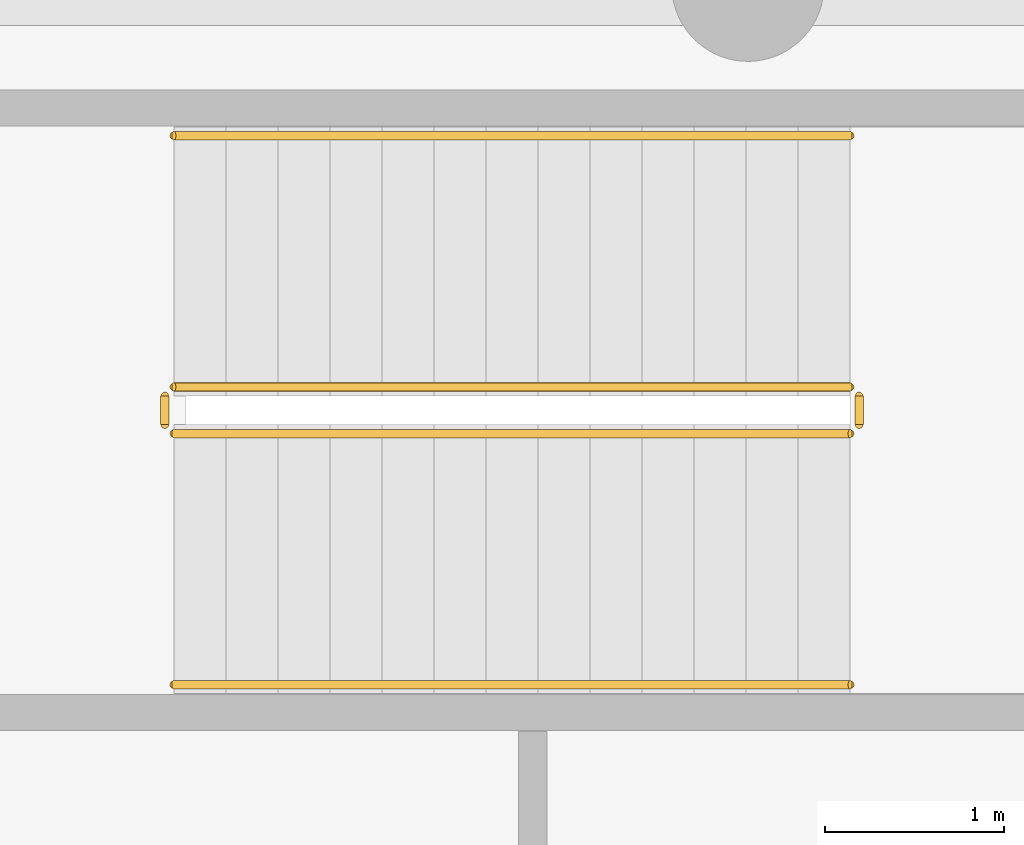
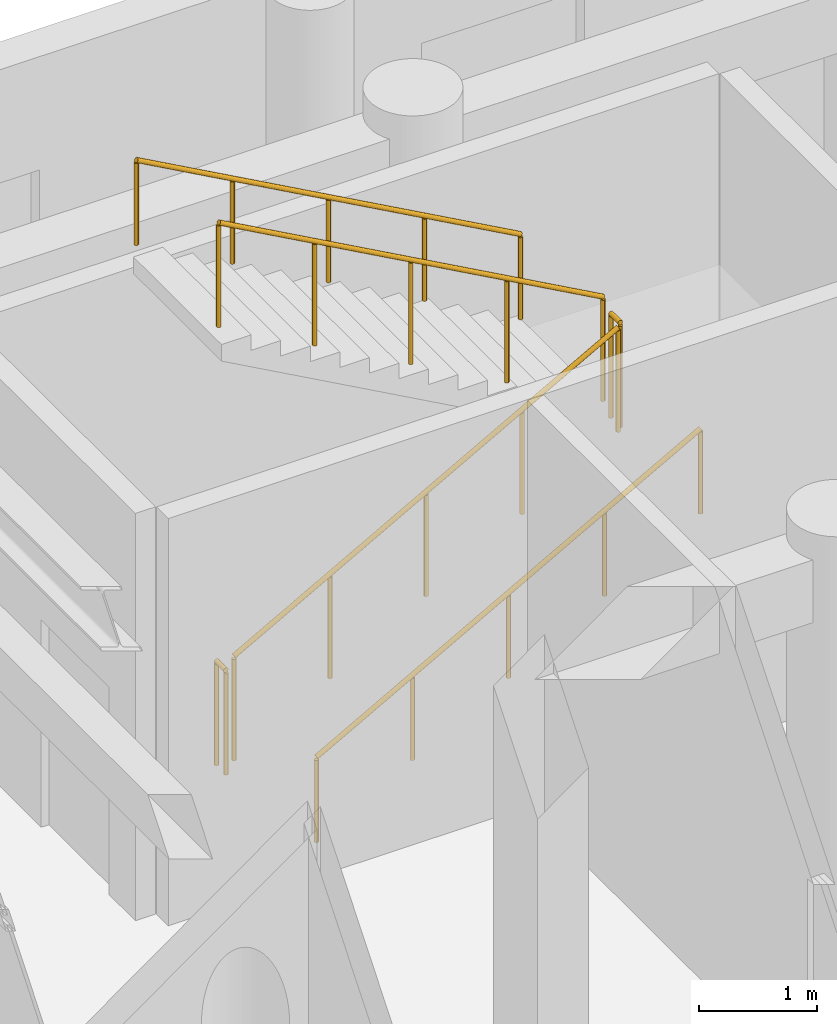
# One storey, part 24 of 24: 6 railings.
"""IFC4 building model written with IfcOpenShell, lengths in metres."""

from ifc_helpers import new_model, si_unit, direction, frame, origin, origin_2d, place, context, subcontext, project, spatial, circle, extrude, material, layer, layer_set, type_object, element, save


model = new_model("IFC4")

# Units and contexts
model_context = context("Model", 3, precision=1e-05, world=origin(), true_north=direction((0.0, 1.0)))
body_context = subcontext(model_context, "Body", "Model", "MODEL_VIEW")
ifc_project = project(units=[si_unit("LENGTHUNIT", "METRE"), si_unit("AREAUNIT", "SQUARE_METRE"), si_unit("VOLUMEUNIT", "CUBIC_METRE"), si_unit("PLANEANGLEUNIT", "RADIAN"), si_unit("MASSUNIT", "GRAM", prefix="KILO")], contexts=[model_context])

# Site, building, storey
site_placement = place(None, origin())
site = spatial("IfcSite", under=ifc_project, at=site_placement, CompositionType="ELEMENT")
building_placement = place(site_placement, origin())
building = spatial("IfcBuilding", under=site, at=building_placement, Name="Karkom Vertical University and Central Library", CompositionType="ELEMENT")
storey_placement = place(building_placement, frame((0.0, 0.0, 13.5)))
storey = spatial("IfcBuildingStorey", under=building, at=storey_placement, Name="L03", CompositionType="ELEMENT", Elevation=13.5)

# Railings
ifc_material_1 = material(Name="Painted galvanised steel balustrade", Category="steel")
ifc_layer_1 = layer(ifc_material_1, 0.06005859375)
ifc_layer_set_1 = layer_set([ifc_layer_1], Name="Painted galvanised steel balustrade")
railing_type_1 = type_object("IfcRailingType", Name="INT-RL-GUARD1100", PredefinedType="GUARDRAIL", material=ifc_layer_set_1)
railing_1_placement = place(storey_placement, frame((72.199951171875, 45.699951171875, 0.16064453125)))
element("IfcRailing", 1, at=railing_1_placement, inside=storey, type_object=railing_type_1, Name="Level 03 LIB-ST2 stair guard 1", PredefinedType="GUARDRAIL", context=body_context, shape_type="SweptSolid", body=[
    extrude(circle(Radius=0.02392578125, at=origin_2d()), frame((0.0, 0.0, 1.076171875), z_axis=(0.874659101714, 0.0, 0.484738543742), x_axis=(0.0, 1.0, 0.0)), (0.0, 0.0, 1.0), 4.310302734375),
    extrude(circle(Radius=0.02099609375, at=origin_2d()), origin(), (0.0, 0.0, 1.0), 1.052001953125),
    extrude(circle(Radius=0.02099609375, at=origin_2d()), frame((0.9423828125, 0.0, 0.5224609375)), (0.0, 0.0, 1.0), 1.052001953125),
    extrude(circle(Radius=0.02099609375, at=origin_2d()), frame((1.885009765625, 0.0, 1.044677734375)), (0.0, 0.0, 1.0), 1.052001953125),
    extrude(circle(Radius=0.02099609375, at=origin_2d()), frame((2.82763671875, 0.0, 1.56689453125)), (0.0, 0.0, 1.0), 1.052001953125),
    extrude(circle(Radius=0.02099609375, at=origin_2d()), frame((3.77001953125, 0.0, 2.08935546875)), (0.0, 0.0, 1.0), 1.052001953125),
])
railing_2_placement = place(storey_placement, frame((76.02001953125, 45.75, 2.25)))
element("IfcRailing", 2, at=railing_2_placement, inside=storey, type_object=railing_type_1, Name="Level 03 LIB-ST2 stair guard 2", PredefinedType="GUARDRAIL", context=body_context, shape_type="SweptSolid", body=[
    extrude(circle(Radius=0.02392578125, at=origin_2d()), frame((0.0, 0.0, 1.076171875), z_axis=(0.0, 1.0, 0.0), x_axis=(-1.0, 0.0, 0.0)), (0.0, 0.0, 1.0), 0.159912109375),
    extrude(circle(Radius=0.02099609375, at=origin_2d()), origin(), (0.0, 0.0, 1.0), 1.052001953125),
    extrude(circle(Radius=0.02099609375, at=origin_2d()), frame((0.0, 0.159912109375, 0.0)), (0.0, 0.0, 1.0), 1.052001953125),
])
railing_3_placement = place(storey_placement, frame((75.969970703125, 45.9599609375, 2.41064453125)))
element("IfcRailing", 3, at=railing_3_placement, inside=storey, type_object=railing_type_1, Name="Level 03 LIB-ST2 stair guard 3", PredefinedType="GUARDRAIL", context=body_context, shape_type="SweptSolid", body=[
    extrude(circle(Radius=0.02392578125, at=origin_2d()), frame((0.0, 0.0, 1.076171875), z_axis=(-0.874659101714, 0.0, 0.484738543742), x_axis=(0.0, -1.0, 0.0)), (0.0, 0.0, 1.0), 4.310302734375),
    extrude(circle(Radius=0.02099609375, at=origin_2d()), origin(), (0.0, 0.0, 1.0), 1.052001953125),
    extrude(circle(Radius=0.02099609375, at=origin_2d()), frame((-0.9423828125, 0.0, 0.5224609375)), (0.0, 0.0, 1.0), 1.052001953125),
    extrude(circle(Radius=0.02099609375, at=origin_2d()), frame((-1.885009765625, 0.0, 1.044677734375)), (0.0, 0.0, 1.0), 1.052001953125),
    extrude(circle(Radius=0.02099609375, at=origin_2d()), frame((-2.82763671875, 0.0, 1.56689453125)), (0.0, 0.0, 1.0), 1.052001953125),
    extrude(circle(Radius=0.02099609375, at=origin_2d()), frame((-3.77001953125, 0.0, 2.08935546875)), (0.0, 0.0, 1.0), 1.052001953125),
])
railing_4_placement = place(storey_placement, frame((72.14990234375, 45.75, 0.0)))
element("IfcRailing", 4, at=railing_4_placement, inside=storey, type_object=railing_type_1, Name="Level 03 LIB-ST2 stair guard 4", PredefinedType="GUARDRAIL", context=body_context, shape_type="SweptSolid", body=[
    extrude(circle(Radius=0.02392578125, at=origin_2d()), frame((0.0, 0.0, 1.076171875), z_axis=(0.0, 1.0, 0.0), x_axis=(-1.0, 0.0, 0.0)), (0.0, 0.0, 1.0), 0.159912109375),
    extrude(circle(Radius=0.02099609375, at=origin_2d()), origin(), (0.0, 0.0, 1.0), 1.052001953125),
    extrude(circle(Radius=0.02099609375, at=origin_2d()), frame((0.0, 0.159912109375, 0.0)), (0.0, 0.0, 1.0), 1.052001953125),
])
ifc_material_2 = material(Name="Brushed stainless-steel tubular handrail", Category="steel")
ifc_layer_2 = layer(ifc_material_2, 0.048095703125)
ifc_layer_set_2 = layer_set([ifc_layer_2], Name="Brushed stainless-steel tubular handrail")
railing_type_2 = type_object("IfcRailingType", Name="INT-RL-HAND920", PredefinedType="HANDRAIL", material=ifc_layer_set_2)
railing_5_placement = place(storey_placement, frame((72.199951171875, 44.300048828125, 0.16064453125)))
element("IfcRailing", 5, at=railing_5_placement, inside=storey, type_object=railing_type_2, Name="Level 03 LIB-ST2 stair handrail 1", PredefinedType="HANDRAIL", context=body_context, shape_type="SweptSolid", body=[
    extrude(circle(Radius=0.02392578125, at=origin_2d()), frame((0.0, 0.0, 0.8759765625), z_axis=(0.874659101714, 0.0, 0.484738543742), x_axis=(0.0, 1.0, 0.0)), (0.0, 0.0, 1.0), 4.310302734375),
    extrude(circle(Radius=0.02099609375, at=origin_2d()), origin(), (0.0, 0.0, 1.0), 0.851806640625),
    extrude(circle(Radius=0.02099609375, at=origin_2d()), frame((0.9423828125, 0.0, 0.5224609375)), (0.0, 0.0, 1.0), 0.851806640625),
    extrude(circle(Radius=0.02099609375, at=origin_2d()), frame((1.885009765625, 0.0, 1.044677734375)), (0.0, 0.0, 1.0), 0.851806640625),
    extrude(circle(Radius=0.02099609375, at=origin_2d()), frame((2.82763671875, 0.0, 1.56689453125)), (0.0, 0.0, 1.0), 0.851806640625),
    extrude(circle(Radius=0.02099609375, at=origin_2d()), frame((3.77001953125, 0.0, 2.08935546875)), (0.0, 0.0, 1.0), 0.851806640625),
])
railing_6_placement = place(storey_placement, frame((75.969970703125, 47.360107421875, 2.41064453125)))
element("IfcRailing", 6, at=railing_6_placement, inside=storey, type_object=railing_type_2, Name="Level 03 LIB-ST2 stair handrail 2", PredefinedType="HANDRAIL", context=body_context, shape_type="SweptSolid", body=[
    extrude(circle(Radius=0.02392578125, at=origin_2d()), frame((0.0, 0.0, 0.8759765625), z_axis=(-0.874659101714, 0.0, 0.484738543742), x_axis=(0.0, -1.0, 0.0)), (0.0, 0.0, 1.0), 4.310302734375),
    extrude(circle(Radius=0.02099609375, at=origin_2d()), origin(), (0.0, 0.0, 1.0), 0.851806640625),
    extrude(circle(Radius=0.02099609375, at=origin_2d()), frame((-0.9423828125, 0.0, 0.5224609375)), (0.0, 0.0, 1.0), 0.851806640625),
    extrude(circle(Radius=0.02099609375, at=origin_2d()), frame((-1.885009765625, 0.0, 1.044677734375)), (0.0, 0.0, 1.0), 0.851806640625),
    extrude(circle(Radius=0.02099609375, at=origin_2d()), frame((-2.82763671875, 0.0, 1.56689453125)), (0.0, 0.0, 1.0), 0.851806640625),
    extrude(circle(Radius=0.02099609375, at=origin_2d()), frame((-3.77001953125, 0.0, 2.08935546875)), (0.0, 0.0, 1.0), 0.851806640625),
])

save(model, "model.ifc")
